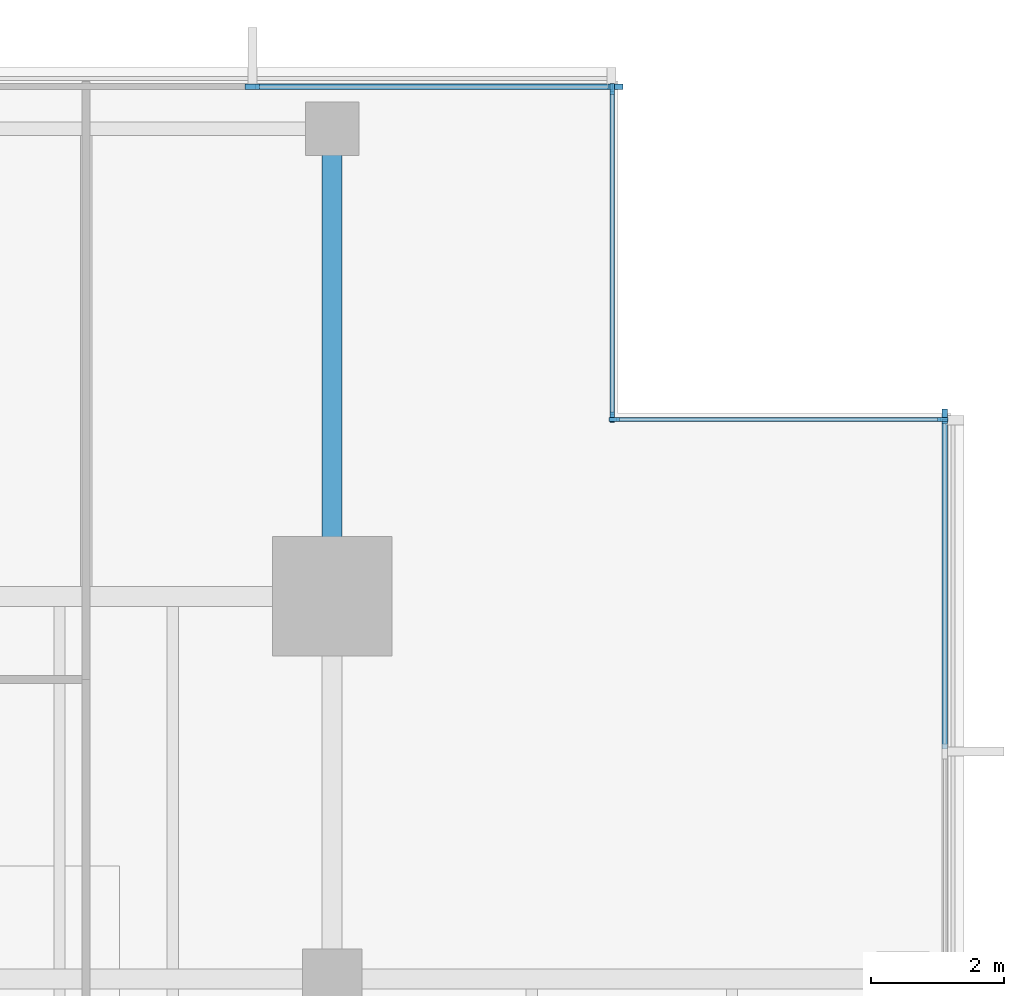
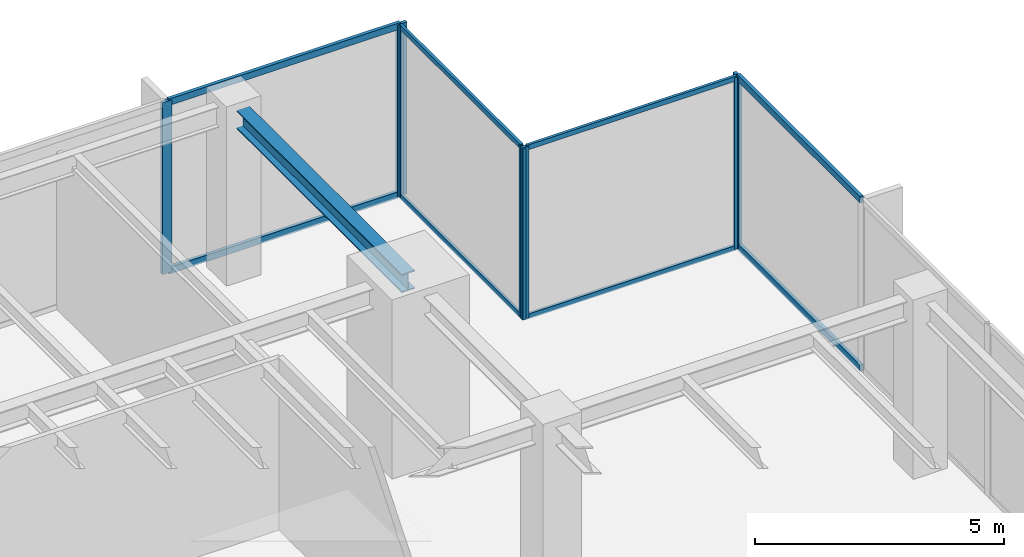
# One storey, part 6 of 14: 15 members, 1 beam, 4 elements without a shape of their own.
"""IFC4 building model written with IfcOpenShell, lengths in metres."""

from ifc_helpers import new_model, si_unit, direction, frame, origin, origin_2d, place, context, subcontext, project, spatial, rectangle, i_section, extrude, material, layer, layer_set, material_profile, profile_set, type_object, element, aggregate, save


model = new_model("IFC4")

# Units and contexts
model_context = context("Model", 3, precision=1e-05, world=origin(), true_north=direction((0.0, 1.0)))
body_context = subcontext(model_context, "Body", "Model", "MODEL_VIEW")
ifc_project = project(units=[si_unit("LENGTHUNIT", "METRE"), si_unit("AREAUNIT", "SQUARE_METRE"), si_unit("VOLUMEUNIT", "CUBIC_METRE"), si_unit("PLANEANGLEUNIT", "RADIAN"), si_unit("MASSUNIT", "GRAM", prefix="KILO")], contexts=[model_context])

# Site, building, storey
site_placement = place(None, origin())
site = spatial("IfcSite", under=ifc_project, at=site_placement, CompositionType="ELEMENT")
building_placement = place(site_placement, origin())
building = spatial("IfcBuilding", under=site, at=building_placement, Name="Kinhvarn Gate Tower", CompositionType="ELEMENT")
storey_placement = place(building_placement, frame((0.0, 0.0, 183.64990234375)))
storey = spatial("IfcBuildingStorey", under=building, at=storey_placement, Name="L48", CompositionType="ELEMENT", Elevation=183.64990234375)

# Curtain wall, members
ifc_material_1 = material(Name="Anodised aluminium AW-6063", Category="aluminium")
ifc_layer_1 = layer(ifc_material_1, 0.179931640625)
ifc_layer_set_1 = layer_set([ifc_layer_1], Name="Anodised aluminium AW-6063")
curtain_wall_type_1 = type_object("IfcCurtainWallType", Name="CW-SYS-4", PredefinedType="NOTDEFINED", material=ifc_layer_set_1)
curtain_wall_1_placement = place(storey_placement, origin())
curtain_wall_1 = element("IfcCurtainWall", 1, at=curtain_wall_1_placement, inside=storey, type_object=curtain_wall_type_1, Name="Curtain Wall CW4 (L48)", PredefinedType="NOTDEFINED")
ifc_material_profile_1 = material_profile(ifc_material_1, rectangle(XDim=0.06494140625, YDim=0.159912109375, at=origin_2d()), Name="ALU 65x160")
ifc_profile_set_1 = profile_set([ifc_material_profile_1], Name="Anodised aluminium AW-6063")
member_type_1 = type_object("IfcMemberType", Name="CW-MUL-160", PredefinedType="MULLION", material=ifc_profile_set_1)
member_1_placement = place(storey_placement, frame((47.37744140625, 40.409912109375, 0.0), z_axis=(0.0, 0.0, 1.0), x_axis=(0.0, -1.0, 0.0)))
member_1 = element("IfcMember", 2, at=member_1_placement, type_object=member_type_1, Name="CW4 mullion 1", PredefinedType="MULLION", context=body_context, shape_type="SweptSolid", body=[
    extrude(rectangle(XDim=0.06494140625, YDim=0.159912109375, at=origin_2d()), origin(), (0.0, 0.0, 1.0), 4.22021484375),
])
member_2_placement = place(storey_placement, frame((42.4423828125, 40.409912109375, 0.0), z_axis=(0.0, 0.0, 1.0), x_axis=(0.0, -1.0, 0.0)))
member_2 = element("IfcMember", 3, at=member_2_placement, type_object=member_type_1, Name="CW4 mullion 2", PredefinedType="MULLION", context=body_context, shape_type="SweptSolid", body=[
    extrude(rectangle(XDim=0.06494140625, YDim=0.159912109375, at=origin_2d()), origin(), (0.0, 0.0, 1.0), 4.22021484375),
])

curtain_wall_2_placement = place(storey_placement, origin())
curtain_wall_2 = element("IfcCurtainWall", 4, at=curtain_wall_2_placement, inside=storey, type_object=curtain_wall_type_1, Name="Curtain Wall CW4 (L48)", PredefinedType="NOTDEFINED")
member_3_placement = place(storey_placement, frame((42.409912109375, 40.4423828125, 0.0), z_axis=(0.0, 0.0, 1.0), x_axis=(-1.0, 0.0, 0.0)))
member_3 = element("IfcMember", 5, at=member_3_placement, type_object=member_type_1, Name="CW4 mullion 1", PredefinedType="MULLION", context=body_context, shape_type="SweptSolid", body=[
    extrude(rectangle(XDim=0.06494140625, YDim=0.159912109375, at=origin_2d()), origin(), (0.0, 0.0, 1.0), 4.22021484375),
])
member_4_placement = place(storey_placement, frame((42.409912109375, 45.37744140625, 0.0), z_axis=(0.0, 0.0, 1.0), x_axis=(-1.0, 0.0, 0.0)))
member_4 = element("IfcMember", 6, at=member_4_placement, type_object=member_type_1, Name="CW4 mullion 2", PredefinedType="MULLION", context=body_context, shape_type="SweptSolid", body=[
    extrude(rectangle(XDim=0.06494140625, YDim=0.159912109375, at=origin_2d()), origin(), (0.0, 0.0, 1.0), 4.22021484375),
])

ifc_layer_2 = layer(ifc_material_1, 0.219970703125)
ifc_layer_set_2 = layer_set([ifc_layer_2], Name="Anodised aluminium AW-6063")
curtain_wall_type_2 = type_object("IfcCurtainWallType", Name="CW-SYS-5", PredefinedType="NOTDEFINED", material=ifc_layer_set_2)
curtain_wall_3_placement = place(storey_placement, origin())
curtain_wall_3 = element("IfcCurtainWall", 7, at=curtain_wall_3_placement, inside=storey, type_object=curtain_wall_type_2, Name="Curtain Wall CW5 (L48)", PredefinedType="NOTDEFINED")
ifc_material_profile_2 = material_profile(ifc_material_1, rectangle(XDim=0.080078125, YDim=0.219970703125, at=origin_2d()), Name="ALU 80x220")
ifc_profile_set_2 = profile_set([ifc_material_profile_2], Name="Anodised aluminium AW-6063")
member_type_2 = type_object("IfcMemberType", Name="CW-MUL-220", PredefinedType="MULLION", material=ifc_profile_set_2)
member_5_placement = place(storey_placement, frame((42.4599609375, 45.409912109375, 0.0), z_axis=(0.0, 0.0, 1.0), x_axis=(0.0, -1.0, 0.0)))
member_5 = element("IfcMember", 8, at=member_5_placement, type_object=member_type_2, Name="CW5 mullion 1", PredefinedType="MULLION", context=body_context, shape_type="SweptSolid", body=[
    extrude(rectangle(XDim=0.080078125, YDim=0.219970703125, at=origin_2d()), origin(), (0.0, 0.0, 1.0), 4.22021484375),
])
member_6_placement = place(storey_placement, frame((37.0, 45.409912109375, 0.0), z_axis=(0.0, 0.0, 1.0), x_axis=(0.0, -1.0, 0.0)))
member_6 = element("IfcMember", 9, at=member_6_placement, type_object=member_type_2, Name="CW5 mullion 2", PredefinedType="MULLION", context=body_context, shape_type="SweptSolid", body=[
    extrude(rectangle(XDim=0.080078125, YDim=0.219970703125, at=origin_2d()), origin(), (0.0, 0.0, 1.0), 4.22021484375),
])

# Curtain wall, member
curtain_wall_4_placement = place(storey_placement, origin())
curtain_wall_4 = element("IfcCurtainWall", 10, at=curtain_wall_4_placement, inside=storey, type_object=curtain_wall_type_2, Name="Curtain Wall CW5 (L48)", PredefinedType="NOTDEFINED")
member_7_placement = place(storey_placement, frame((47.409912109375, 40.4599609375, 0.0), z_axis=(0.0, 0.0, 1.0), x_axis=(-1.0, 0.0, 0.0)))
member_7 = element("IfcMember", 11, at=member_7_placement, type_object=member_type_2, Name="CW5 mullion 7", PredefinedType="MULLION", context=body_context, shape_type="SweptSolid", body=[
    extrude(rectangle(XDim=0.080078125, YDim=0.219970703125, at=origin_2d()), origin(), (0.0, 0.0, 1.0), 4.22021484375),
])

# Member
ifc_material_profile_3 = material_profile(ifc_material_1, rectangle(XDim=0.06494140625, YDim=0.1201171875, at=origin_2d()), Name="ALU 65x120")
ifc_profile_set_3 = profile_set([ifc_material_profile_3], Name="Anodised aluminium AW-6063")
member_type_3 = type_object("IfcMemberType", Name="CW-TRN-120", PredefinedType="USERDEFINED", material=ifc_profile_set_3)
member_8_placement = place(storey_placement, frame((47.344970703125, 40.409912109375, 0.03271484375), z_axis=(-1.0, 0.0, 0.0), x_axis=(0.0, -1.0, 0.0)))
member_8 = element("IfcMember", 12, at=member_8_placement, type_object=member_type_3, Name="CW4 transom 1.1", ObjectType="TRANSOM", PredefinedType="USERDEFINED", context=body_context, shape_type="SweptSolid", body=[
    extrude(rectangle(XDim=0.06494140625, YDim=0.1201171875, at=origin_2d()), origin(), (0.0, 0.0, 1.0), 4.869873046875),
])

member_9_placement = place(storey_placement, frame((47.344970703125, 40.409912109375, 4.1875), z_axis=(-1.0, 0.0, 0.0), x_axis=(0.0, -1.0, 0.0)))
member_9 = element("IfcMember", 13, at=member_9_placement, type_object=member_type_3, Name="CW4 transom 1.2", ObjectType="TRANSOM", PredefinedType="USERDEFINED", context=body_context, shape_type="SweptSolid", body=[
    extrude(rectangle(XDim=0.06494140625, YDim=0.1201171875, at=origin_2d()), origin(), (0.0, 0.0, 1.0), 4.869873046875),
])

aggregate(curtain_wall_1, [member_1, member_2, member_8, member_9])

member_10_placement = place(storey_placement, frame((42.409912109375, 40.47509765625, 0.03271484375), z_axis=(0.0, 1.0, 0.0), x_axis=(-1.0, 0.0, 0.0)))
member_10 = element("IfcMember", 14, at=member_10_placement, type_object=member_type_3, Name="CW4 transom 1.1", ObjectType="TRANSOM", PredefinedType="USERDEFINED", context=body_context, shape_type="SweptSolid", body=[
    extrude(rectangle(XDim=0.06494140625, YDim=0.1201171875, at=origin_2d()), origin(), (0.0, 0.0, 1.0), 4.869873046875),
])

member_11_placement = place(storey_placement, frame((42.409912109375, 40.47509765625, 4.1875), z_axis=(0.0, 1.0, 0.0), x_axis=(-1.0, 0.0, 0.0)))
member_11 = element("IfcMember", 15, at=member_11_placement, type_object=member_type_3, Name="CW4 transom 1.2", ObjectType="TRANSOM", PredefinedType="USERDEFINED", context=body_context, shape_type="SweptSolid", body=[
    extrude(rectangle(XDim=0.06494140625, YDim=0.1201171875, at=origin_2d()), origin(), (0.0, 0.0, 1.0), 4.869873046875),
])

aggregate(curtain_wall_2, [member_3, member_4, member_10, member_11])

ifc_material_profile_4 = material_profile(ifc_material_1, rectangle(XDim=0.080078125, YDim=0.159912109375, at=origin_2d()), Name="ALU 80x160")
ifc_profile_set_4 = profile_set([ifc_material_profile_4], Name="Anodised aluminium AW-6063")
member_type_4 = type_object("IfcMemberType", Name="CW-TRN-160", PredefinedType="USERDEFINED", material=ifc_profile_set_4)
member_12_placement = place(storey_placement, frame((42.419921875, 45.409912109375, 0.0400390625), z_axis=(-1.0, 0.0, 0.0), x_axis=(0.0, -1.0, 0.0)))
member_12 = element("IfcMember", 16, at=member_12_placement, type_object=member_type_4, Name="CW5 transom 1.1", ObjectType="TRANSOM", PredefinedType="USERDEFINED", context=body_context, shape_type="SweptSolid", body=[
    extrude(rectangle(XDim=0.080078125, YDim=0.159912109375, at=origin_2d()), origin(), (0.0, 0.0, 1.0), 5.3798828125),
])

member_13_placement = place(storey_placement, frame((42.419921875, 45.409912109375, 4.18017578125), z_axis=(-1.0, 0.0, 0.0), x_axis=(0.0, -1.0, 0.0)))
member_13 = element("IfcMember", 17, at=member_13_placement, type_object=member_type_4, Name="CW5 transom 1.2", ObjectType="TRANSOM", PredefinedType="USERDEFINED", context=body_context, shape_type="SweptSolid", body=[
    extrude(rectangle(XDim=0.080078125, YDim=0.159912109375, at=origin_2d()), origin(), (0.0, 0.0, 1.0), 5.3798828125),
])

aggregate(curtain_wall_3, [member_5, member_6, member_12, member_13])

member_14_placement = place(storey_placement, frame((47.409912109375, 35.456787109375, 0.0400390625), z_axis=(0.0, 1.0, 0.0), x_axis=(-1.0, 0.0, 0.0)))
member_14 = element("IfcMember", 18, at=member_14_placement, type_object=member_type_4, Name="CW5 transom 6.1", ObjectType="TRANSOM", PredefinedType="USERDEFINED", context=body_context, shape_type="SweptSolid", body=[
    extrude(rectangle(XDim=0.080078125, YDim=0.159912109375, at=origin_2d()), origin(), (0.0, 0.0, 1.0), 4.963134765625),
])

member_15_placement = place(storey_placement, frame((47.409912109375, 35.456787109375, 4.18017578125), z_axis=(0.0, 1.0, 0.0), x_axis=(-1.0, 0.0, 0.0)))
member_15 = element("IfcMember", 19, at=member_15_placement, type_object=member_type_4, Name="CW5 transom 6.2", ObjectType="TRANSOM", PredefinedType="USERDEFINED", context=body_context, shape_type="SweptSolid", body=[
    extrude(rectangle(XDim=0.080078125, YDim=0.159912109375, at=origin_2d()), origin(), (0.0, 0.0, 1.0), 4.963134765625),
])

aggregate(curtain_wall_4, [member_7, member_14, member_15])

# Beam
ifc_material_2 = material(Name="Steel S355", Category="steel")
ifc_material_profile_5 = material_profile(ifc_material_2, i_section(OverallWidth=0.300048828125, OverallDepth=0.449951171875, WebThickness=0.013916015625, FlangeThickness=0.02587890625, at=origin_2d()), Name="HEB 450")
ifc_profile_set_5 = profile_set([ifc_material_profile_5], Name="Steel S355")
beam_type = type_object("IfcBeamType", Name="STL-HEB450", PredefinedType="BEAM", material=ifc_profile_set_5)
beam_placement = place(storey_placement, frame((38.199951171875, 37.75, 3.9951171875), z_axis=(0.0, 1.0, 0.0), x_axis=(-1.0, 0.0, 0.0)))
element("IfcBeam", 20, at=beam_placement, inside=storey, type_object=beam_type, Name="Floor Beam PG-13 (L48 MCE-N)", PredefinedType="BEAM", context=body_context, shape_type="SweptSolid", body=[
    extrude(i_section(OverallWidth=0.300048828125, OverallDepth=0.449951171875, WebThickness=0.013916015625, FlangeThickness=0.02587890625, at=origin_2d()), origin(), (0.0, 0.0, 1.0), 6.64501953125),
])

save(model, "model.ifc")
